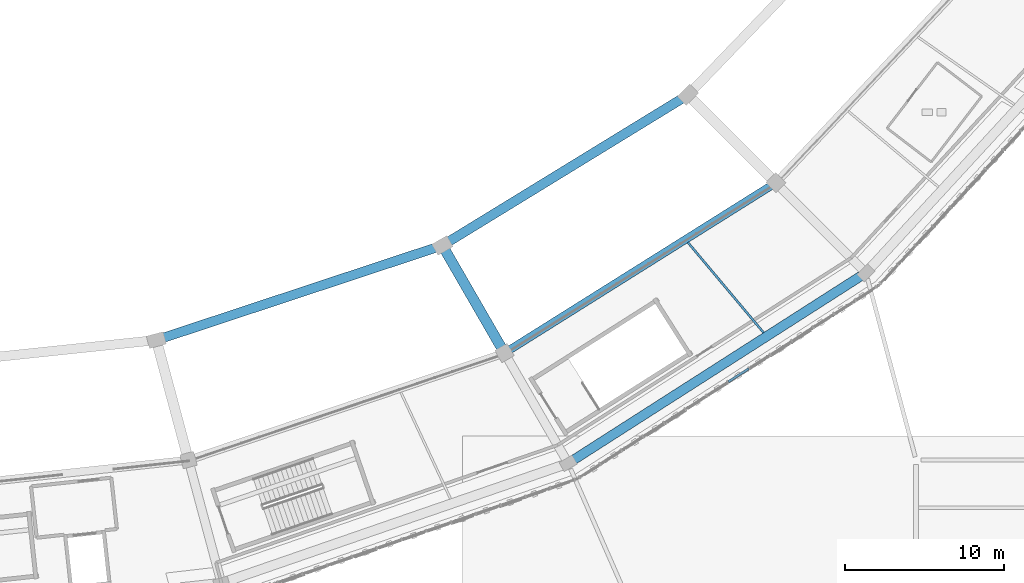
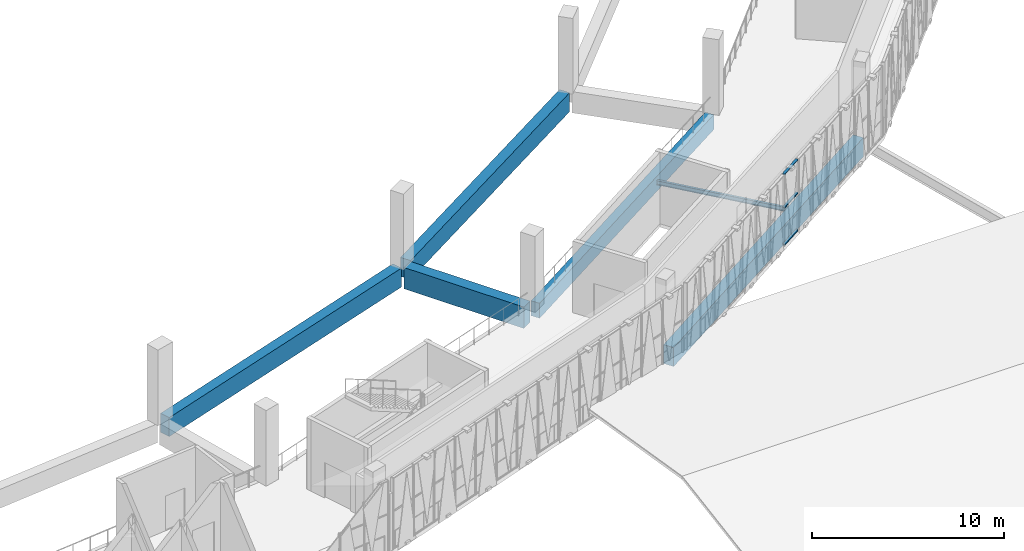
# One storey, part 22 of 108: 6 beams, 3 members, 1 element without a shape of its own.
"""IFC4 building model written with IfcOpenShell, lengths in metres."""

from ifc_helpers import new_model, si_unit, direction, frame, origin, origin_2d, place, context, subcontext, project, spatial, rectangle, i_section, extrude, material, material_profile, profile_set, type_object, element, aggregate, save


model = new_model("IFC4")

# Units and contexts
model_context = context("Model", 3, precision=1e-05, world=origin(), true_north=direction((0.0, 1.0)))
body_context = subcontext(model_context, "Body", "Model", "MODEL_VIEW")
ifc_project = project(units=[si_unit("LENGTHUNIT", "METRE"), si_unit("AREAUNIT", "SQUARE_METRE"), si_unit("VOLUMEUNIT", "CUBIC_METRE"), si_unit("PLANEANGLEUNIT", "RADIAN"), si_unit("MASSUNIT", "GRAM", prefix="KILO")], contexts=[model_context])

# Site, building, storey
site_placement = place(None, origin())
site = spatial("IfcSite", under=ifc_project, at=site_placement, CompositionType="ELEMENT")
building_placement = place(site_placement, origin())
building = spatial("IfcBuilding", under=site, at=building_placement, Name="Zevraka Park Crest Stadium", CompositionType="ELEMENT")
storey_placement = place(building_placement, frame((0.0, 0.0, 19.800048828125)))
storey = spatial("IfcBuildingStorey", under=building, at=storey_placement, Name="L04", CompositionType="ELEMENT", Elevation=19.800048828125)

# Beam
ifc_material_1 = material(Name="Concrete C40/50", Category="concrete")
ifc_material_profile_1 = material_profile(ifc_material_1, rectangle(XDim=0.64990234375, YDim=1.35009765625, at=origin_2d()), Name="RC 1350x650")
ifc_profile_set_1 = profile_set([ifc_material_profile_1], Name="Concrete C40/50")
beam_type_1 = type_object("IfcBeamType", Name="BG01", PredefinedType="BEAM", material=ifc_profile_set_1)
beam_1_placement = place(storey_placement, frame((149.39990234375, 40.2109375, -0.68505859375), z_axis=(0.500041424909, -0.866001485781, 0.0), x_axis=(0.866001485781, 0.500041424909, 0.0)))
element("IfcBeam", 1, at=beam_1_placement, inside=storey, type_object=beam_type_1, Name="Radial Girder BG01 L04-BC-20", PredefinedType="BEAM", context=body_context, shape_type="SweptSolid", body=[
    extrude(rectangle(XDim=0.64990234375, YDim=1.35009765625, at=origin_2d()), origin(), (0.0, 0.0, 1.0), 7.19970703125),
])

# Curtain wall, members
ifc_material_2 = material(Name="Anodised architectural aluminium and laminated safety glass", Category="aluminium")
curtain_wall_type = type_object("IfcCurtainWallType", Name="CW18", PredefinedType="NOTDEFINED", material=ifc_material_2)
curtain_wall_placement = place(storey_placement, origin())
curtain_wall = element("IfcCurtainWall", 2, at=curtain_wall_placement, inside=storey, type_object=curtain_wall_type, Name="Unitised Ring Curtain Wall CW18 L04-20", PredefinedType="NOTDEFINED")
ifc_material_3 = material(Name="Anodised architectural aluminium", Category="aluminium")
ifc_material_profile_2 = material_profile(ifc_material_3, rectangle(XDim=0.14990234375, YDim=0.070068359375, at=origin_2d()), Name="ALU TRANSOM 150x70")
ifc_profile_set_2 = profile_set([ifc_material_profile_2], Name="Anodised architectural aluminium")
member_type = type_object("IfcMemberType", Name="CT03", PredefinedType="USERDEFINED", material=ifc_profile_set_2)
member_1_placement = place(storey_placement, frame((167.21142578125, 31.913818359375, 0.034912109375), z_axis=(0.841669260565, 0.539993384978, 0.0), x_axis=(-0.539993384978, 0.841669260565, 0.0)))
member_1 = element("IfcMember", 3, at=member_1_placement, type_object=member_type, Name="CW18 transom 8.1", ObjectType="TRANSOM", PredefinedType="USERDEFINED", context=body_context, shape_type="SweptSolid", body=[
    extrude(rectangle(XDim=0.14990234375, YDim=0.070068359375, at=origin_2d()), origin(), (0.0, 0.0, 1.0), 1.518310546875),
])
member_2_placement = place(storey_placement, frame((167.21142578125, 31.913818359375, 2.39990234375), z_axis=(0.841669260565, 0.539993384978, 0.0), x_axis=(-0.539993384978, 0.841669260565, 0.0)))
member_2 = element("IfcMember", 4, at=member_2_placement, type_object=member_type, Name="CW18 transom 8.2", ObjectType="TRANSOM", PredefinedType="USERDEFINED", context=body_context, shape_type="SweptSolid", body=[
    extrude(rectangle(XDim=0.14990234375, YDim=0.070068359375, at=origin_2d()), origin(), (0.0, 0.0, 1.0), 1.518310546875),
])
member_3_placement = place(storey_placement, frame((167.21142578125, 31.913818359375, 4.5048828125), z_axis=(0.841669260565, 0.539993384978, 0.0), x_axis=(-0.539993384978, 0.841669260565, 0.0)))
member_3 = element("IfcMember", 5, at=member_3_placement, type_object=member_type, Name="CW18 transom 8.3", ObjectType="TRANSOM", PredefinedType="USERDEFINED", context=body_context, shape_type="SweptSolid", body=[
    extrude(rectangle(XDim=0.14990234375, YDim=0.070068359375, at=origin_2d()), origin(), (0.0, 0.0, 1.0), 1.518310546875),
])
aggregate(curtain_wall, [member_1, member_2, member_3])

# Beams
ifc_material_4 = material(Name="Concrete C40/50", Category="concrete")
ifc_material_profile_3 = material_profile(ifc_material_4, rectangle(XDim=0.60009765625, YDim=1.199951171875, at=origin_2d()), Name="RC 1200x600")
ifc_profile_set_3 = profile_set([ifc_material_profile_3], Name="Concrete C40/50")
beam_type_2 = type_object("IfcBeamType", Name="RB01", PredefinedType="BEAM", material=ifc_profile_set_3)
beam_2_placement = place(storey_placement, frame((131.64306640625, 34.64599609375, -0.610107421875), z_axis=(0.949383863235, 0.314118258349, 0.0), x_axis=(-0.314118258349, 0.949383863235, 0.0)))
element("IfcBeam", 6, at=beam_2_placement, inside=storey, type_object=beam_type_2, Name="Ring Beam RB01 L04-B-19", PredefinedType="BEAM", context=body_context, shape_type="SweptSolid", body=[
    extrude(rectangle(XDim=0.60009765625, YDim=1.199951171875, at=origin_2d()), origin(), (0.0, 0.0, 1.0), 18.165283203125),
])
beam_3_placement = place(storey_placement, frame((149.573974609375, 40.669921875, -0.610107421875), z_axis=(0.852632623571, 0.522510869956, 0.0), x_axis=(-0.522510869956, 0.852632623571, 0.0)))
element("IfcBeam", 7, at=beam_3_placement, inside=storey, type_object=beam_type_2, Name="Ring Beam RB01 L04-B-20", PredefinedType="BEAM", context=body_context, shape_type="SweptSolid", body=[
    extrude(rectangle(XDim=0.60009765625, YDim=1.199951171875, at=origin_2d()), origin(), (0.0, 0.0, 1.0), 17.335693359375),
])
beam_4_placement = place(storey_placement, frame((157.469970703125, 26.992919921875, -0.610107421875), z_axis=(0.842325571453, 0.538969045193, 0.0), x_axis=(-0.538969045193, 0.842325571453, 0.0)))
element("IfcBeam", 8, at=beam_4_placement, inside=storey, type_object=beam_type_2, Name="Ring Beam RB01 L04-D-20", PredefinedType="BEAM", context=body_context, shape_type="SweptSolid", body=[
    extrude(rectangle(XDim=0.60009765625, YDim=1.199951171875, at=origin_2d()), origin(), (0.0, 0.0, 1.0), 21.443115234375),
])
ifc_material_5 = material(Name="Concrete C40/50", Category="concrete")
ifc_material_profile_4 = material_profile(ifc_material_5, rectangle(XDim=0.5, YDim=0.949951171875, at=origin_2d()), Name="RC 950x500")
ifc_profile_set_4 = profile_set([ifc_material_profile_4], Name="Concrete C40/50")
beam_type_3 = type_object("IfcBeamType", Name="RB02", PredefinedType="BEAM", material=ifc_profile_set_4)
beam_5_placement = place(storey_placement, frame((153.471923828125, 33.91796875, -0.485107421875), z_axis=(0.847038516183, 0.531531515625, 0.0), x_axis=(-0.531531515625, 0.847038516183, 0.0)))
element("IfcBeam", 9, at=beam_5_placement, inside=storey, type_object=beam_type_3, Name="Ring Beam RB02 L04-C-20", PredefinedType="BEAM", context=body_context, shape_type="SweptSolid", body=[
    extrude(rectangle(XDim=0.5, YDim=0.949951171875, at=origin_2d()), origin(), (0.0, 0.0, 1.0), 19.36279296875),
])
ifc_material_6 = material(Name="Steel S355", Category="steel")
ifc_material_profile_5 = material_profile(ifc_material_6, i_section(OverallWidth=0.135009765625, OverallDepth=0.27001953125, WebThickness=0.006591796875, FlangeThickness=0.01025390625, at=origin_2d()), Name="IPE 270")
ifc_profile_set_5 = profile_set([ifc_material_profile_5], Name="Steel S355")
beam_type_4 = type_object("IfcBeamType", Name="SJ07", PredefinedType="JOIST", material=ifc_profile_set_5)
beam_6_placement = place(storey_placement, frame((164.6708984375, 40.658935546875, -0.403076171875), z_axis=(0.642939005042, -0.765917381834, 0.0), x_axis=(0.765917381834, 0.642939005042, 0.0)))
element("IfcBeam", 10, at=beam_6_placement, inside=storey, type_object=beam_type_4, Name="Floor Joist SJ07 L04-CD-20-2", PredefinedType="JOIST", context=body_context, shape_type="SweptSolid", body=[
    extrude(i_section(OverallWidth=0.135009765625, OverallDepth=0.27001953125, WebThickness=0.006591796875, FlangeThickness=0.01025390625, at=origin_2d()), origin(), (0.0, 0.0, 1.0), 7.39892578125),
])

save(model, "model.ifc")
